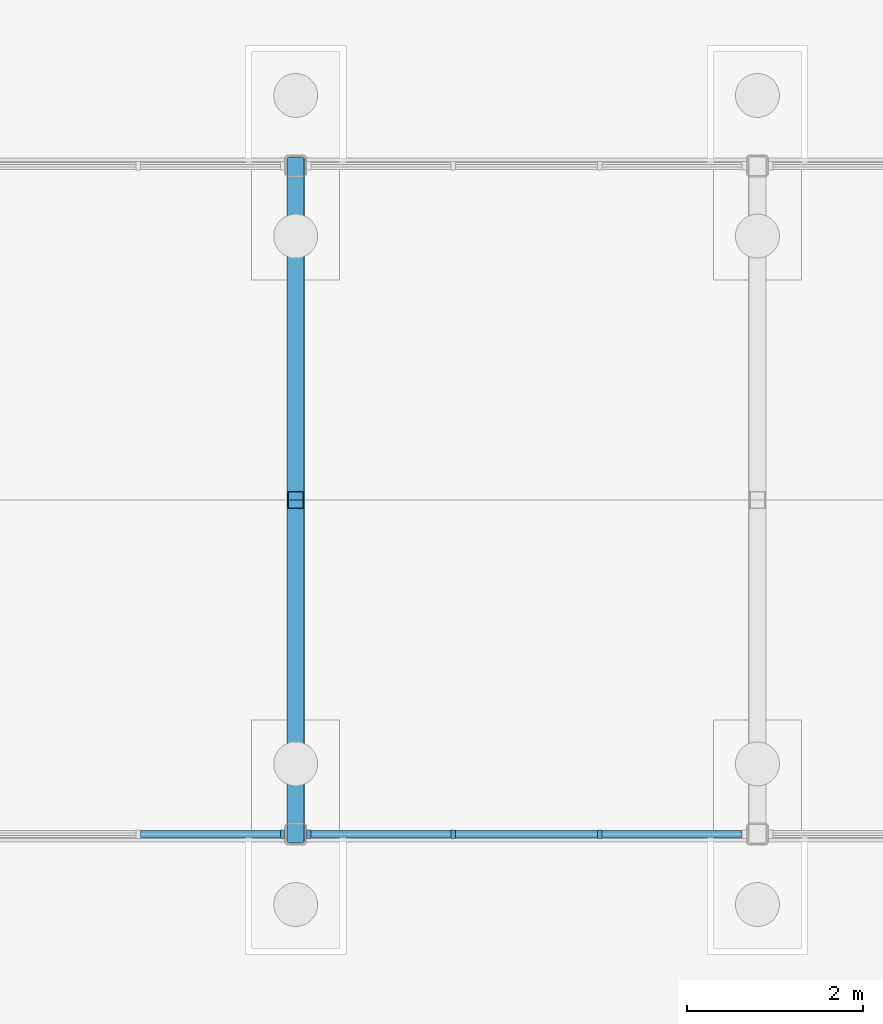
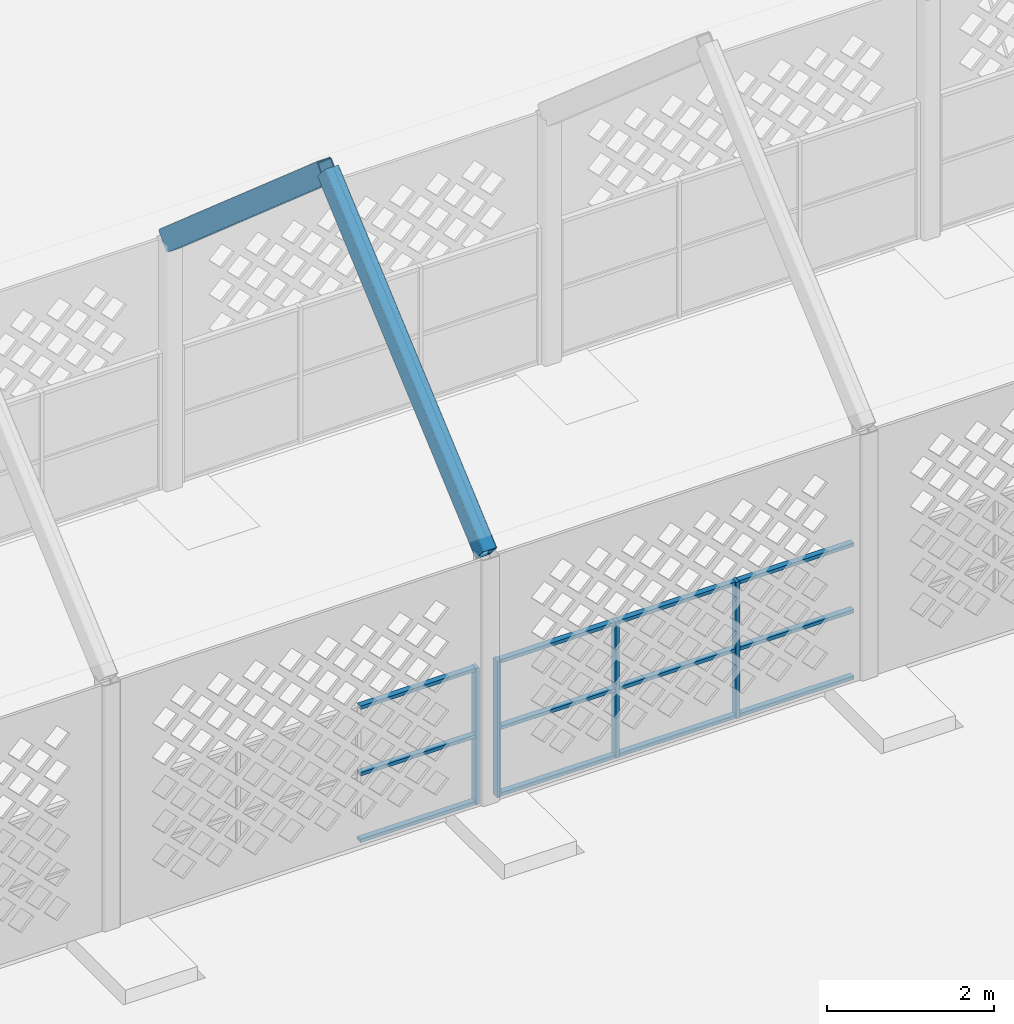
# One storey, part 21 of 79: 18 members, 2 elements without a shape of their own.
"""IFC4 building model written with IfcOpenShell, lengths in metres."""

from ifc_helpers import new_model, si_unit, direction, frame, origin, origin_2d, place, context, subcontext, project, spatial, rectangle, hollow_rectangle, extrude, material, layer, layer_set, material_profile, profile_set, type_object, element, aggregate, save


model = new_model("IFC4")

# Units and contexts
model_context = context("Model", 3, precision=1e-05, world=origin(), true_north=direction((0.0, 1.0)))
body_context = subcontext(model_context, "Body", "Model", "MODEL_VIEW")
ifc_project = project(units=[si_unit("LENGTHUNIT", "METRE"), si_unit("AREAUNIT", "SQUARE_METRE"), si_unit("VOLUMEUNIT", "CUBIC_METRE"), si_unit("PLANEANGLEUNIT", "RADIAN"), si_unit("MASSUNIT", "GRAM", prefix="KILO")], contexts=[model_context])

# Site, building, storey
site_placement = place(None, origin())
site = spatial("IfcSite", under=ifc_project, at=site_placement, CompositionType="ELEMENT")
building_placement = place(site_placement, origin())
building = spatial("IfcBuilding", under=site, at=building_placement, Name="Noorbagh Ring Tower", CompositionType="ELEMENT")
storey_placement = place(building_placement, origin())
storey = spatial("IfcBuildingStorey", under=building, at=storey_placement, Name="L00", CompositionType="ELEMENT", Elevation=0.0)

# Curtain wall, member
ifc_material_1 = material(Name="Aluminium and glass", Category="aluminium")
ifc_layer = layer(ifc_material_1, 0.10009765625)
ifc_layer_set = layer_set([ifc_layer], Name="Aluminium and glass")
curtain_wall_type = type_object("IfcCurtainWallType", Name="AR-CW", PredefinedType="NOTDEFINED", material=ifc_layer_set)
curtain_wall_1_placement = place(storey_placement, origin())
curtain_wall_1 = element("IfcCurtainWall", 1, at=curtain_wall_1_placement, inside=storey, type_object=curtain_wall_type, Name="Arcade glazing", PredefinedType="NOTDEFINED")
ifc_material_2 = material(Name="Aluminium", Category="aluminium")
ifc_material_profile_1 = material_profile(ifc_material_2, rectangle(XDim=0.10009765625, YDim=0.050048828125, at=origin_2d()), Name="AL 100x50")
ifc_profile_set_1 = profile_set([ifc_material_profile_1], Name="Aluminium")
member_type_1 = type_object("IfcMemberType", Name="AR-CW-MULLION", PredefinedType="MULLION", material=ifc_profile_set_1)
member_1_placement = place(storey_placement, frame((-68.39990234375, 1.199951171875, 0.0), z_axis=(0.0, 0.0, 1.0), x_axis=(0.0, 1.0, 0.0)))
member_1 = element("IfcMember", 2, at=member_1_placement, type_object=member_type_1, Name="CW-A mullion 4", PredefinedType="MULLION", context=body_context, shape_type="SweptSolid", body=[
    extrude(rectangle(XDim=0.10009765625, YDim=0.050048828125, at=origin_2d()), origin(), (0.0, 0.0, 1.0), 2.0),
])

# Curtain wall, members
curtain_wall_2_placement = place(storey_placement, origin())
curtain_wall_2 = element("IfcCurtainWall", 3, at=curtain_wall_2_placement, inside=storey, type_object=curtain_wall_type, Name="Arcade glazing", PredefinedType="NOTDEFINED")
member_2_placement = place(storey_placement, frame((-68.10009765625, 1.199951171875, 0.0), z_axis=(0.0, 0.0, 1.0), x_axis=(0.0, 1.0, 0.0)))
member_2 = element("IfcMember", 4, at=member_2_placement, type_object=member_type_1, Name="CW-A mullion 1", PredefinedType="MULLION", context=body_context, shape_type="SweptSolid", body=[
    extrude(rectangle(XDim=0.10009765625, YDim=0.050048828125, at=origin_2d()), origin(), (0.0, 0.0, 1.0), 2.0),
])
member_3_placement = place(storey_placement, frame((-66.458251953125, 1.199951171875, 0.0), z_axis=(0.0, 0.0, 1.0), x_axis=(0.0, 1.0, 0.0)))
member_3 = element("IfcMember", 5, at=member_3_placement, type_object=member_type_1, Name="CW-A mullion 2", PredefinedType="MULLION", context=body_context, shape_type="SweptSolid", body=[
    extrude(rectangle(XDim=0.10009765625, YDim=0.050048828125, at=origin_2d()), origin(), (0.0, 0.0, 1.0), 2.0),
])
member_4_placement = place(storey_placement, frame((-64.791748046875, 1.199951171875, 0.0), z_axis=(0.0, 0.0, 1.0), x_axis=(0.0, 1.0, 0.0)))
member_4 = element("IfcMember", 6, at=member_4_placement, type_object=member_type_1, Name="CW-A mullion 3", PredefinedType="MULLION", context=body_context, shape_type="SweptSolid", body=[
    extrude(rectangle(XDim=0.10009765625, YDim=0.050048828125, at=origin_2d()), origin(), (0.0, 0.0, 1.0), 2.0),
])

# Member
ifc_material_3 = material(Name="Aluminium", Category="aluminium")
ifc_material_profile_2 = material_profile(ifc_material_3, rectangle(XDim=0.080078125, YDim=0.050048828125, at=origin_2d()), Name="AL 80x50")
ifc_profile_set_2 = profile_set([ifc_material_profile_2], Name="Aluminium")
member_type_2 = type_object("IfcMemberType", Name="AR-CW-TRANSOM", PredefinedType="USERDEFINED", material=ifc_profile_set_2)
member_5_placement = place(storey_placement, frame((-70.0166015625, 1.199951171875, 0.02490234375), z_axis=(1.0, 0.0, 0.0), x_axis=(0.0, 1.0, 0.0)))
member_5 = element("IfcMember", 7, at=member_5_placement, type_object=member_type_2, Name="CW-A transom 3.1", ObjectType="TRANSOM", PredefinedType="USERDEFINED", context=body_context, shape_type="SweptSolid", body=[
    extrude(rectangle(XDim=0.080078125, YDim=0.050048828125, at=origin_2d()), origin(), (0.0, 0.0, 1.0), 1.591552734375),
])

member_6_placement = place(storey_placement, frame((-70.0166015625, 1.199951171875, 1.0), z_axis=(1.0, 0.0, 0.0), x_axis=(0.0, 1.0, 0.0)))
member_6 = element("IfcMember", 8, at=member_6_placement, type_object=member_type_2, Name="CW-A transom 3.2", ObjectType="TRANSOM", PredefinedType="USERDEFINED", context=body_context, shape_type="SweptSolid", body=[
    extrude(rectangle(XDim=0.080078125, YDim=0.050048828125, at=origin_2d()), origin(), (0.0, 0.0, 1.0), 1.591552734375),
])

member_7_placement = place(storey_placement, frame((-70.0166015625, 1.199951171875, 1.97509765625), z_axis=(1.0, 0.0, 0.0), x_axis=(0.0, 1.0, 0.0)))
member_7 = element("IfcMember", 9, at=member_7_placement, type_object=member_type_2, Name="CW-A transom 3.3", ObjectType="TRANSOM", PredefinedType="USERDEFINED", context=body_context, shape_type="SweptSolid", body=[
    extrude(rectangle(XDim=0.080078125, YDim=0.050048828125, at=origin_2d()), origin(), (0.0, 0.0, 1.0), 1.591552734375),
])

aggregate(curtain_wall_1, [member_1, member_5, member_6, member_7])

member_8_placement = place(storey_placement, frame((-68.074951171875, 1.199951171875, 0.02490234375), z_axis=(1.0, 0.0, 0.0), x_axis=(0.0, 1.0, 0.0)))
member_8 = element("IfcMember", 10, at=member_8_placement, type_object=member_type_2, Name="CW-A transom 1.1", ObjectType="TRANSOM", PredefinedType="USERDEFINED", context=body_context, shape_type="SweptSolid", body=[
    extrude(rectangle(XDim=0.080078125, YDim=0.050048828125, at=origin_2d()), origin(), (0.0, 0.0, 1.0), 1.591552734375),
])

member_9_placement = place(storey_placement, frame((-68.074951171875, 1.199951171875, 1.0), z_axis=(1.0, 0.0, 0.0), x_axis=(0.0, 1.0, 0.0)))
member_9 = element("IfcMember", 11, at=member_9_placement, type_object=member_type_2, Name="CW-A transom 1.2", ObjectType="TRANSOM", PredefinedType="USERDEFINED", context=body_context, shape_type="SweptSolid", body=[
    extrude(rectangle(XDim=0.080078125, YDim=0.050048828125, at=origin_2d()), origin(), (0.0, 0.0, 1.0), 1.591552734375),
])

member_10_placement = place(storey_placement, frame((-68.074951171875, 1.199951171875, 1.97509765625), z_axis=(1.0, 0.0, 0.0), x_axis=(0.0, 1.0, 0.0)))
member_10 = element("IfcMember", 12, at=member_10_placement, type_object=member_type_2, Name="CW-A transom 1.3", ObjectType="TRANSOM", PredefinedType="USERDEFINED", context=body_context, shape_type="SweptSolid", body=[
    extrude(rectangle(XDim=0.080078125, YDim=0.050048828125, at=origin_2d()), origin(), (0.0, 0.0, 1.0), 1.591552734375),
])

member_11_placement = place(storey_placement, frame((-66.433349609375, 1.199951171875, 0.02490234375), z_axis=(1.0, 0.0, 0.0), x_axis=(0.0, 1.0, 0.0)))
member_11 = element("IfcMember", 13, at=member_11_placement, type_object=member_type_2, Name="CW-A transom 2.1", ObjectType="TRANSOM", PredefinedType="USERDEFINED", context=body_context, shape_type="SweptSolid", body=[
    extrude(rectangle(XDim=0.080078125, YDim=0.050048828125, at=origin_2d()), origin(), (0.0, 0.0, 1.0), 1.61669921875),
])

member_12_placement = place(storey_placement, frame((-66.433349609375, 1.199951171875, 1.0), z_axis=(1.0, 0.0, 0.0), x_axis=(0.0, 1.0, 0.0)))
member_12 = element("IfcMember", 14, at=member_12_placement, type_object=member_type_2, Name="CW-A transom 2.2", ObjectType="TRANSOM", PredefinedType="USERDEFINED", context=body_context, shape_type="SweptSolid", body=[
    extrude(rectangle(XDim=0.080078125, YDim=0.050048828125, at=origin_2d()), origin(), (0.0, 0.0, 1.0), 1.61669921875),
])

member_13_placement = place(storey_placement, frame((-66.433349609375, 1.199951171875, 1.97509765625), z_axis=(1.0, 0.0, 0.0), x_axis=(0.0, 1.0, 0.0)))
member_13 = element("IfcMember", 15, at=member_13_placement, type_object=member_type_2, Name="CW-A transom 2.3", ObjectType="TRANSOM", PredefinedType="USERDEFINED", context=body_context, shape_type="SweptSolid", body=[
    extrude(rectangle(XDim=0.080078125, YDim=0.050048828125, at=origin_2d()), origin(), (0.0, 0.0, 1.0), 1.61669921875),
])

member_14_placement = place(storey_placement, frame((-64.7666015625, 1.199951171875, 0.02490234375), z_axis=(1.0, 0.0, 0.0), x_axis=(0.0, 1.0, 0.0)))
member_14 = element("IfcMember", 16, at=member_14_placement, type_object=member_type_2, Name="CW-A transom 3.1", ObjectType="TRANSOM", PredefinedType="USERDEFINED", context=body_context, shape_type="SweptSolid", body=[
    extrude(rectangle(XDim=0.080078125, YDim=0.050048828125, at=origin_2d()), origin(), (0.0, 0.0, 1.0), 1.591552734375),
])

member_15_placement = place(storey_placement, frame((-64.7666015625, 1.199951171875, 1.0), z_axis=(1.0, 0.0, 0.0), x_axis=(0.0, 1.0, 0.0)))
member_15 = element("IfcMember", 17, at=member_15_placement, type_object=member_type_2, Name="CW-A transom 3.2", ObjectType="TRANSOM", PredefinedType="USERDEFINED", context=body_context, shape_type="SweptSolid", body=[
    extrude(rectangle(XDim=0.080078125, YDim=0.050048828125, at=origin_2d()), origin(), (0.0, 0.0, 1.0), 1.591552734375),
])

member_16_placement = place(storey_placement, frame((-64.7666015625, 1.199951171875, 1.97509765625), z_axis=(1.0, 0.0, 0.0), x_axis=(0.0, 1.0, 0.0)))
member_16 = element("IfcMember", 18, at=member_16_placement, type_object=member_type_2, Name="CW-A transom 3.3", ObjectType="TRANSOM", PredefinedType="USERDEFINED", context=body_context, shape_type="SweptSolid", body=[
    extrude(rectangle(XDim=0.080078125, YDim=0.050048828125, at=origin_2d()), origin(), (0.0, 0.0, 1.0), 1.591552734375),
])

aggregate(curtain_wall_2, [member_2, member_3, member_4, member_8, member_9, member_10, member_11, member_12, member_13, member_14, member_15, member_16])

# Members
ifc_material_4 = material(Name="Steel S355", Category="steel")
ifc_material_profile_3 = material_profile(ifc_material_4, hollow_rectangle(XDim=0.199951171875, YDim=0.300048828125, WallThickness=0.012451171875, InnerFilletRadius=0.012451171875, OuterFilletRadius=0.03125, at=origin_2d()), Name="RHS300x200x12.5")
ifc_profile_set_3 = profile_set([ifc_material_profile_3], Name="Steel S355")
member_type_3 = type_object("IfcMemberType", Name="AR-RAFTER", PredefinedType="RAFTER", material=ifc_profile_set_3)
for number, where, z_axis, x_axis, name in (
    (19, (-68.25, 1.199951171875, 3.60009765625), (0.0, 0.755056501482, 0.655659728495), (-1.0, 0.0, 0.0), "L00/ar-bm/6S"),
    (20, (-68.25, 8.800048828125, 3.60009765625), (0.0, -0.755056501482, 0.655659728495), (1.0, 0.0, 0.0), "L00/ar-bm/6N"),
):
    element("IfcMember", number, at=place(storey_placement, frame(where, z_axis=z_axis, x_axis=x_axis)), inside=storey, type_object=member_type_3, Name=name, PredefinedType="RAFTER", context=body_context, shape_type="SweptSolid", body=[
        extrude(hollow_rectangle(XDim=0.199951171875, YDim=0.300048828125, WallThickness=0.012451171875, InnerFilletRadius=0.012451171875, OuterFilletRadius=0.03125, at=origin_2d()), origin(), (0.0, 0.0, 1.0), 5.03271484375),
    ])

save(model, "model.ifc")
